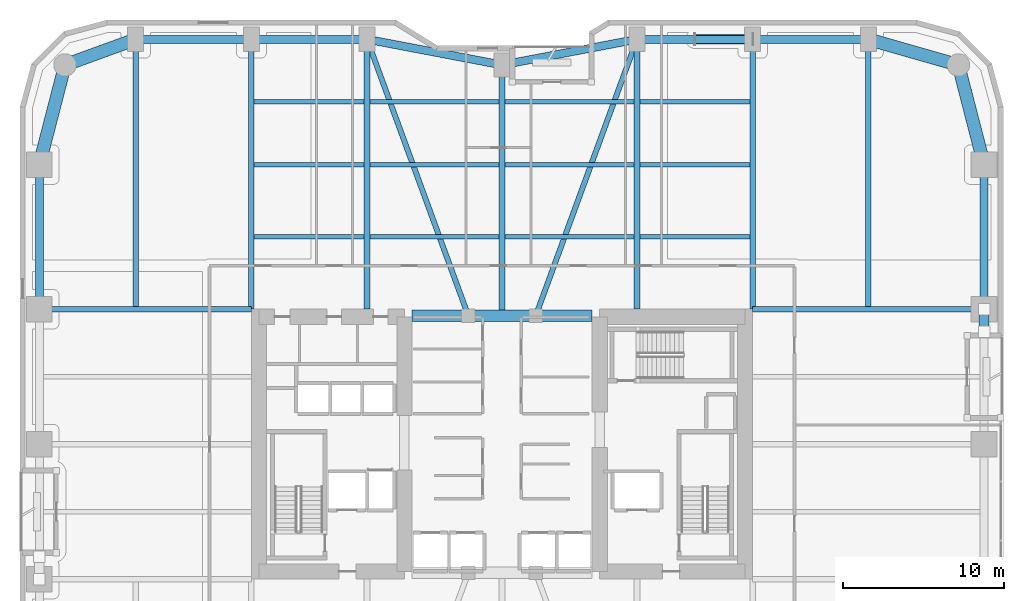
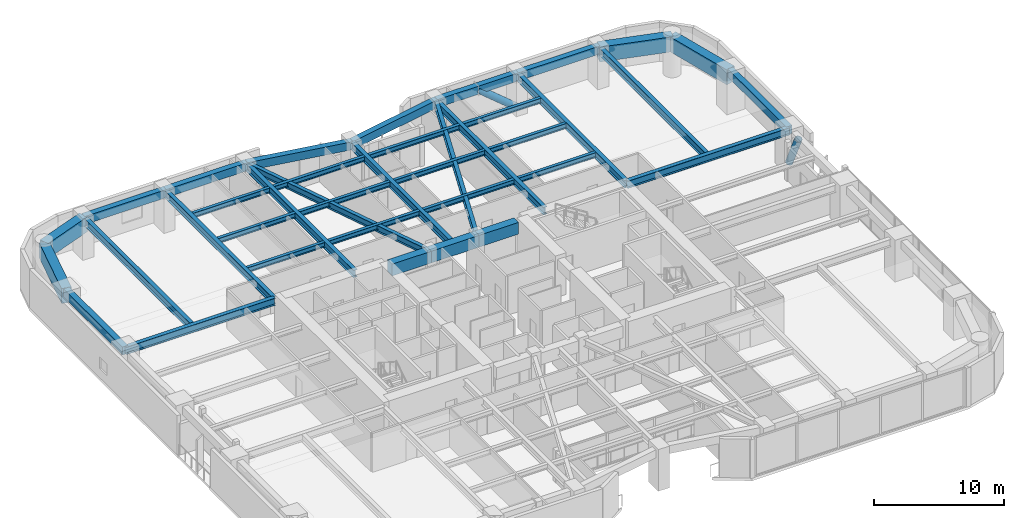
# One storey, part 14 of 26: 38 beams, 2 members.
"""IFC4 building model written with IfcOpenShell, lengths in metres."""

from ifc_helpers import new_model, si_unit, direction, frame, origin, origin_2d, place, context, subcontext, project, spatial, rectangle, hollow_circle, i_section, extrude, material, material_profile, profile_set, type_object, element, save


model = new_model("IFC4")

# Units and contexts
model_context = context("Model", 3, precision=1e-05, world=origin(), true_north=direction((0.0, 1.0)))
body_context = subcontext(model_context, "Body", "Model", "MODEL_VIEW")
ifc_project = project(units=[si_unit("LENGTHUNIT", "METRE"), si_unit("AREAUNIT", "SQUARE_METRE"), si_unit("VOLUMEUNIT", "CUBIC_METRE"), si_unit("PLANEANGLEUNIT", "RADIAN"), si_unit("MASSUNIT", "GRAM", prefix="KILO")], contexts=[model_context])

# Site, building, storey
site_placement = place(None, origin())
site = spatial("IfcSite", under=ifc_project, at=site_placement, CompositionType="ELEMENT")
building_placement = place(site_placement, origin())
building = spatial("IfcBuilding", under=site, at=building_placement, Name="Kiyonajd Concourse Tower", CompositionType="ELEMENT")
storey_placement = place(building_placement, frame((0.0, 0.0, 72.89990234375)))
storey = spatial("IfcBuildingStorey", under=building, at=storey_placement, Name="L19", CompositionType="ELEMENT", Elevation=72.89990234375)

# Beams
ifc_material_1 = material(Name="Concrete C70/85", Category="concrete")
ifc_material_profile_1 = material_profile(ifc_material_1, rectangle(XDim=0.699951171875, YDim=1.10009765625, at=origin_2d()), Name="RCBM-700x1100")
ifc_profile_set_1 = profile_set([ifc_material_profile_1], Name="Concrete C70/85")
beam_type_1 = type_object("IfcBeamType", Name="BM-COUP-1100", PredefinedType="LINTEL", material=ifc_profile_set_1)
beam_1_placement = place(storey_placement, frame((42.39990234375, 44.0, 3.090087890625), z_axis=(1.0, 0.0, 0.0), x_axis=(0.0, 1.0, 0.0)))
element("IfcBeam", 1, at=beam_1_placement, inside=storey, type_object=beam_type_1, Name="L19 Core Coupling Beam N1", PredefinedType="LINTEL", context=body_context, shape_type="SweptSolid", body=[
    extrude(rectangle(XDim=0.699951171875, YDim=1.10009765625, at=origin_2d()), origin(), (0.0, 0.0, 1.0), 3.5),
])
beam_2_placement = place(storey_placement, frame((45.89990234375, 44.0, 3.090087890625), z_axis=(1.0, 0.0, 0.0), x_axis=(0.0, 1.0, 0.0)))
element("IfcBeam", 2, at=beam_2_placement, inside=storey, type_object=beam_type_1, Name="L19 Core Coupling Beam N2", PredefinedType="LINTEL", context=body_context, shape_type="SweptSolid", body=[
    extrude(rectangle(XDim=0.699951171875, YDim=1.10009765625, at=origin_2d()), origin(), (0.0, 0.0, 1.0), 4.2001953125),
])
beam_3_placement = place(storey_placement, frame((50.10009765625, 44.0, 3.090087890625), z_axis=(1.0, 0.0, 0.0), x_axis=(0.0, 1.0, 0.0)))
element("IfcBeam", 3, at=beam_3_placement, inside=storey, type_object=beam_type_1, Name="L19 Core Coupling Beam N3", PredefinedType="LINTEL", context=body_context, shape_type="SweptSolid", body=[
    extrude(rectangle(XDim=0.699951171875, YDim=1.10009765625, at=origin_2d()), origin(), (0.0, 0.0, 1.0), 3.5),
])
ifc_material_2 = material(Name="Steel ASTM A992 Grade 50", Category="steel")
ifc_material_profile_2 = material_profile(ifc_material_2, i_section(OverallWidth=0.280029296875, OverallDepth=0.462890625, WebThickness=0.0107421875, FlangeThickness=0.017333984375, at=origin_2d()), Name="W460X113")
ifc_profile_set_2 = profile_set([ifc_material_profile_2], Name="Steel ASTM A992 Grade 50")
beam_type_2 = type_object("IfcBeamType", Name="BM-JST-460A", PredefinedType="JOIST", material=ifc_profile_set_2)
beam_4_placement = place(storey_placement, frame((32.577392578125, 48.89990234375, 3.40869140625), z_axis=(1.0, 0.0, 0.0), x_axis=(0.0, 1.0, 0.0)))
element("IfcBeam", 4, at=beam_4_placement, inside=storey, type_object=beam_type_2, Name="L19 Secondary Floor Joist", PredefinedType="JOIST", context=body_context, shape_type="SweptSolid", body=[
    extrude(i_section(OverallWidth=0.280029296875, OverallDepth=0.462890625, WebThickness=0.0107421875, FlangeThickness=0.017333984375, at=origin_2d()), origin(), (0.0, 0.0, 1.0), 6.84521484375),
])
for number, where, z_axis, x_axis, name in (
    (5, (39.777587890625, 48.89990234375, 3.40869140625), (1.0, 0.0, 0.0), (0.0, 1.0, 0.0), "L19 Secondary Floor Joist"),
    (6, (48.177490234375, 48.89990234375, 3.40869140625), (1.0, 0.0, 0.0), (0.0, 1.0, 0.0), "L19 Secondary Floor Joist"),
):
    element("IfcBeam", number, at=place(storey_placement, frame(where, z_axis=z_axis, x_axis=x_axis)), inside=storey, type_object=beam_type_2, Name=name, PredefinedType="JOIST", context=body_context, shape_type="SweptSolid", body=[
        extrude(i_section(OverallWidth=0.280029296875, OverallDepth=0.462890625, WebThickness=0.0107421875, FlangeThickness=0.017333984375, at=origin_2d()), origin(), (0.0, 0.0, 1.0), 8.044921875),
    ])
for number, where, z_axis, x_axis, name in (
    (7, (56.577392578125, 48.89990234375, 3.40869140625), (1.0, 0.0, 0.0), (0.0, 1.0, 0.0), "L19 Secondary Floor Joist"),
    (8, (32.577392578125, 53.39990234375, 3.40869140625), (1.0, 0.0, 0.0), (0.0, 1.0, 0.0), "L19 Secondary Floor Joist"),
):
    element("IfcBeam", number, at=place(storey_placement, frame(where, z_axis=z_axis, x_axis=x_axis)), inside=storey, type_object=beam_type_2, Name=name, PredefinedType="JOIST", context=body_context, shape_type="SweptSolid", body=[
        extrude(i_section(OverallWidth=0.280029296875, OverallDepth=0.462890625, WebThickness=0.0107421875, FlangeThickness=0.017333984375, at=origin_2d()), origin(), (0.0, 0.0, 1.0), 6.84521484375),
    ])
for number, where, z_axis, x_axis, name in (
    (9, (39.777587890625, 53.39990234375, 3.40869140625), (1.0, 0.0, 0.0), (0.0, 1.0, 0.0), "L19 Secondary Floor Joist"),
    (10, (48.177490234375, 53.39990234375, 3.40869140625), (1.0, 0.0, 0.0), (0.0, 1.0, 0.0), "L19 Secondary Floor Joist"),
):
    element("IfcBeam", number, at=place(storey_placement, frame(where, z_axis=z_axis, x_axis=x_axis)), inside=storey, type_object=beam_type_2, Name=name, PredefinedType="JOIST", context=body_context, shape_type="SweptSolid", body=[
        extrude(i_section(OverallWidth=0.280029296875, OverallDepth=0.462890625, WebThickness=0.0107421875, FlangeThickness=0.017333984375, at=origin_2d()), origin(), (0.0, 0.0, 1.0), 8.044921875),
    ])
for number, where, z_axis, x_axis, name in (
    (11, (56.577392578125, 53.39990234375, 3.40869140625), (1.0, 0.0, 0.0), (0.0, 1.0, 0.0), "L19 Secondary Floor Joist"),
    (12, (32.577392578125, 57.300048828125, 3.40869140625), (1.0, 0.0, 0.0), (0.0, 1.0, 0.0), "L19 Secondary Floor Joist"),
):
    element("IfcBeam", number, at=place(storey_placement, frame(where, z_axis=z_axis, x_axis=x_axis)), inside=storey, type_object=beam_type_2, Name=name, PredefinedType="JOIST", context=body_context, shape_type="SweptSolid", body=[
        extrude(i_section(OverallWidth=0.280029296875, OverallDepth=0.462890625, WebThickness=0.0107421875, FlangeThickness=0.017333984375, at=origin_2d()), origin(), (0.0, 0.0, 1.0), 6.84521484375),
    ])
for number, where, z_axis, x_axis, name in (
    (13, (39.777587890625, 57.300048828125, 3.40869140625), (1.0, 0.0, 0.0), (0.0, 1.0, 0.0), "L19 Secondary Floor Joist"),
    (14, (48.177490234375, 57.300048828125, 3.40869140625), (1.0, 0.0, 0.0), (0.0, 1.0, 0.0), "L19 Secondary Floor Joist"),
):
    element("IfcBeam", number, at=place(storey_placement, frame(where, z_axis=z_axis, x_axis=x_axis)), inside=storey, type_object=beam_type_2, Name=name, PredefinedType="JOIST", context=body_context, shape_type="SweptSolid", body=[
        extrude(i_section(OverallWidth=0.280029296875, OverallDepth=0.462890625, WebThickness=0.0107421875, FlangeThickness=0.017333984375, at=origin_2d()), origin(), (0.0, 0.0, 1.0), 8.044921875),
    ])
beam_5_placement = place(storey_placement, frame((56.577392578125, 57.300048828125, 3.40869140625), z_axis=(1.0, 0.0, 0.0), x_axis=(0.0, 1.0, 0.0)))
element("IfcBeam", 15, at=beam_5_placement, inside=storey, type_object=beam_type_2, Name="L19 Secondary Floor Joist", PredefinedType="JOIST", context=body_context, shape_type="SweptSolid", body=[
    extrude(i_section(OverallWidth=0.280029296875, OverallDepth=0.462890625, WebThickness=0.0107421875, FlangeThickness=0.017333984375, at=origin_2d()), origin(), (0.0, 0.0, 1.0), 6.84521484375),
])
ifc_material_3 = material(Name="Precast concrete C50/60", Category="concrete")
ifc_material_profile_3 = material_profile(ifc_material_3, rectangle(XDim=0.5, YDim=0.75, at=origin_2d()), Name="RCBM-500x750")
ifc_profile_set_3 = profile_set([ifc_material_profile_3], Name="Precast concrete C50/60")
beam_type_3 = type_object("IfcBeamType", Name="BM-SPAN-RC", PredefinedType="SPANDREL", material=ifc_profile_set_3)
beam_6_placement = place(storey_placement, frame((78.0, 44.39990234375, 3.26513671875), z_axis=(0.0, 1.0, 0.0), x_axis=(-1.0, 0.0, 0.0)))
element("IfcBeam", 16, at=beam_6_placement, inside=storey, type_object=beam_type_3, Name="L19 Perimeter Bundled Tube Spandrel", PredefinedType="SPANDREL", context=body_context, shape_type="SweptSolid", body=[
    extrude(rectangle(XDim=0.5, YDim=0.75, at=origin_2d()), origin(), (0.0, 0.0, 1.0), 9.0),
])
beam_7_placement = place(storey_placement, frame((70.800048828125, 61.199951171875, 3.26513671875), z_axis=(-1.0, 0.0, 0.0), x_axis=(0.0, -1.0, 0.0)))
element("IfcBeam", 17, at=beam_7_placement, inside=storey, type_object=beam_type_3, Name="L19 Perimeter Bundled Tube Spandrel", PredefinedType="SPANDREL", context=body_context, shape_type="SweptSolid", body=[
    extrude(rectangle(XDim=0.5, YDim=0.75, at=origin_2d()), origin(), (0.0, 0.0, 1.0), 7.199951171875),
])
beam_8_placement = place(storey_placement, frame((63.60009765625, 61.199951171875, 3.26513671875), z_axis=(-1.0, 0.0, 0.0), x_axis=(0.0, -1.0, 0.0)))
element("IfcBeam", 18, at=beam_8_placement, inside=storey, type_object=beam_type_3, Name="L19 Perimeter Bundled Tube Spandrel", PredefinedType="SPANDREL", context=body_context, shape_type="SweptSolid", body=[
    extrude(rectangle(XDim=0.5, YDim=0.75, at=origin_2d()), origin(), (0.0, 0.0, 1.0), 7.2001953125),
])
for number, where, z_axis, x_axis, name in (
    (19, (56.39990234375, 61.199951171875, 3.26513671875), (-0.982341315253, -0.187097675953, 0.0), (0.187097675953, -0.982341315253, 0.0), "L19 Perimeter Bundled Tube Spandrel"),
    (20, (48.0, 59.60009765625, 3.26513671875), (-0.982341315253, 0.187097675953, 0.0), (-0.187097675953, -0.982341315253, 0.0), "L19 Perimeter Bundled Tube Spandrel"),
):
    element("IfcBeam", number, at=place(storey_placement, frame(where, z_axis=z_axis, x_axis=x_axis)), inside=storey, type_object=beam_type_3, Name=name, PredefinedType="SPANDREL", context=body_context, shape_type="SweptSolid", body=[
        extrude(rectangle(XDim=0.5, YDim=0.75, at=origin_2d()), origin(), (0.0, 0.0, 1.0), 8.55078125),
    ])
beam_9_placement = place(storey_placement, frame((39.60009765625, 61.199951171875, 3.26513671875), z_axis=(-1.0, 0.0, 0.0), x_axis=(0.0, -1.0, 0.0)))
element("IfcBeam", 21, at=beam_9_placement, inside=storey, type_object=beam_type_3, Name="L19 Perimeter Bundled Tube Spandrel", PredefinedType="SPANDREL", context=body_context, shape_type="SweptSolid", body=[
    extrude(rectangle(XDim=0.5, YDim=0.75, at=origin_2d()), origin(), (0.0, 0.0, 1.0), 7.2001953125),
])
beam_10_placement = place(storey_placement, frame((32.39990234375, 61.199951171875, 3.26513671875), z_axis=(-1.0, 0.0, 0.0), x_axis=(0.0, -1.0, 0.0)))
element("IfcBeam", 22, at=beam_10_placement, inside=storey, type_object=beam_type_3, Name="L19 Perimeter Bundled Tube Spandrel", PredefinedType="SPANDREL", context=body_context, shape_type="SweptSolid", body=[
    extrude(rectangle(XDim=0.5, YDim=0.75, at=origin_2d()), origin(), (0.0, 0.0, 1.0), 7.199951171875),
])
beam_11_placement = place(storey_placement, frame((19.199951171875, 53.39990234375, 3.26513671875), z_axis=(0.0, -1.0, 0.0), x_axis=(1.0, 0.0, 0.0)))
element("IfcBeam", 23, at=beam_11_placement, inside=storey, type_object=beam_type_3, Name="L19 Perimeter Bundled Tube Spandrel", PredefinedType="SPANDREL", context=body_context, shape_type="SweptSolid", body=[
    extrude(rectangle(XDim=0.5, YDim=0.75, at=origin_2d()), origin(), (0.0, 0.0, 1.0), 9.0),
])
ifc_material_profile_4 = material_profile(ifc_material_2, i_section(OverallWidth=0.326904296875, OverallDepth=0.6220703125, WebThickness=0.015380859375, FlangeThickness=0.0244140625, at=origin_2d()), Name="W610X195")
ifc_profile_set_4 = profile_set([ifc_material_profile_4], Name="Steel ASTM A992 Grade 50")
beam_type_4 = type_object("IfcBeamType", Name="BM-TWR-610A", PredefinedType="BEAM", material=ifc_profile_set_4)
for number, where, z_axis, x_axis, name in (
    (24, (39.60009765625, 61.199951171875, 3.3291015625), (0.343925269715, -0.938997022813, 0.0), (0.938997022813, 0.343925269715, 0.0), "L19 Core Tie Girder"),
    (25, (50.10009765625, 44.0, 3.3291015625), (0.343925269715, 0.938997022813, 0.0), (-0.938997022813, 0.343925269715, 0.0), "L19 Core Tie Girder"),
):
    element("IfcBeam", number, at=place(storey_placement, frame(where, z_axis=z_axis, x_axis=x_axis)), inside=storey, type_object=beam_type_4, Name=name, PredefinedType="BEAM", context=body_context, shape_type="SweptSolid", body=[
        extrude(i_section(OverallWidth=0.326904296875, OverallDepth=0.6220703125, WebThickness=0.015380859375, FlangeThickness=0.0244140625, at=origin_2d()), origin(), (0.0, 0.0, 1.0), 18.3173828125),
    ])
ifc_material_profile_5 = material_profile(ifc_material_2, i_section(OverallWidth=0.35498046875, OverallDepth=0.695068359375, WebThickness=0.015380859375, FlangeThickness=0.02490234375, at=origin_2d()), Name="W690X217")
ifc_profile_set_5 = profile_set([ifc_material_profile_5], Name="Steel ASTM A992 Grade 50")
beam_type_5 = type_object("IfcBeamType", Name="BM-TWR-690", PredefinedType="BEAM", material=ifc_profile_set_5)
for number, where, z_axis, x_axis, name in (
    (26, (25.199951171875, 44.39990234375, 3.29248046875), (0.0, 1.0, 0.0), (-1.0, 0.0, 0.0), "L19 North Lease Girder"),
    (27, (32.39990234375, 44.39990234375, 3.29248046875), (0.0, 1.0, 0.0), (-1.0, 0.0, 0.0), "L19 North Lease Girder"),
    (28, (39.60009765625, 44.39990234375, 3.29248046875), (0.0, 1.0, 0.0), (-1.0, 0.0, 0.0), "L19 North Lease Girder"),
    (29, (56.39990234375, 44.39990234375, 3.29248046875), (0.0, 1.0, 0.0), (-1.0, 0.0, 0.0), "L19 North Lease Girder"),
    (30, (63.60009765625, 44.39990234375, 3.29248046875), (0.0, 1.0, 0.0), (-1.0, 0.0, 0.0), "L19 North Lease Girder"),
    (31, (70.800048828125, 44.39990234375, 3.29248046875), (0.0, 1.0, 0.0), (-1.0, 0.0, 0.0), "L19 North Lease Girder"),
):
    element("IfcBeam", number, at=place(storey_placement, frame(where, z_axis=z_axis, x_axis=x_axis)), inside=storey, type_object=beam_type_5, Name=name, PredefinedType="BEAM", context=body_context, shape_type="SweptSolid", body=[
        extrude(i_section(OverallWidth=0.35498046875, OverallDepth=0.695068359375, WebThickness=0.015380859375, FlangeThickness=0.02490234375, at=origin_2d()), origin(), (0.0, 0.0, 1.0), 16.800048828125),
    ])
beam_12_placement = place(storey_placement, frame((48.0, 44.0, 3.29248046875), z_axis=(0.0, 1.0, 0.0), x_axis=(-1.0, 0.0, 0.0)))
element("IfcBeam", 32, at=beam_12_placement, inside=storey, type_object=beam_type_5, Name="L19 North Ribbon Girder", PredefinedType="BEAM", context=body_context, shape_type="SweptSolid", body=[
    extrude(i_section(OverallWidth=0.35498046875, OverallDepth=0.695068359375, WebThickness=0.015380859375, FlangeThickness=0.02490234375, at=origin_2d()), origin(), (0.0, 0.0, 1.0), 15.60009765625),
])
beam_13_placement = place(storey_placement, frame((19.199951171875, 44.39990234375, 3.29248046875), z_axis=(1.0, 0.0, 0.0), x_axis=(0.0, 1.0, 0.0)))
element("IfcBeam", 33, at=beam_13_placement, inside=storey, type_object=beam_type_5, Name="L19 West Lease Girder", PredefinedType="BEAM", context=body_context, shape_type="SweptSolid", body=[
    extrude(i_section(OverallWidth=0.35498046875, OverallDepth=0.695068359375, WebThickness=0.015380859375, FlangeThickness=0.02490234375, at=origin_2d()), origin(), (0.0, 0.0, 1.0), 13.199951171875),
])
beam_14_placement = place(storey_placement, frame((63.60009765625, 44.39990234375, 3.29248046875), z_axis=(1.0, 0.0, 0.0), x_axis=(0.0, 1.0, 0.0)))
element("IfcBeam", 34, at=beam_14_placement, inside=storey, type_object=beam_type_5, Name="L19 East Lease Girder", PredefinedType="BEAM", context=body_context, shape_type="SweptSolid", body=[
    extrude(i_section(OverallWidth=0.35498046875, OverallDepth=0.695068359375, WebThickness=0.015380859375, FlangeThickness=0.02490234375, at=origin_2d()), origin(), (0.0, 0.0, 1.0), 14.39990234375),
])
ifc_material_4 = material(Name="Concrete C60/75", Category="concrete")
ifc_material_profile_6 = material_profile(ifc_material_4, rectangle(XDim=0.800048828125, YDim=1.39990234375, at=origin_2d()), Name="RCBM-800x1400")
ifc_profile_set_6 = profile_set([ifc_material_profile_6], Name="Concrete C60/75")
beam_type_6 = type_object("IfcBeamType", Name="BM-XFER-RC", PredefinedType="BEAM", material=ifc_profile_set_6)
beam_15_placement = place(storey_placement, frame((78.0, 53.39990234375, 2.940185546875), z_axis=(-0.249884937687, 0.968275538221, 0.0), x_axis=(-0.968275538221, -0.249884937687, 0.0)))
element("IfcBeam", 35, at=beam_15_placement, inside=storey, type_object=beam_type_6, Name="L19 Perimeter Bundled Tube Spandrel", PredefinedType="BEAM", context=body_context, shape_type="SweptSolid", body=[
    extrude(rectangle(XDim=0.800048828125, YDim=1.39990234375, at=origin_2d()), origin(), (0.0, 0.0, 1.0), 6.4033203125),
])
beam_16_placement = place(storey_placement, frame((76.39990234375, 59.60009765625, 2.940185546875), z_axis=(-0.961528693205, 0.274704517878, 0.0), x_axis=(-0.274704517878, -0.961528693205, 0.0)))
element("IfcBeam", 36, at=beam_16_placement, inside=storey, type_object=beam_type_6, Name="L19 Perimeter Bundled Tube Spandrel", PredefinedType="BEAM", context=body_context, shape_type="SweptSolid", body=[
    extrude(rectangle(XDim=0.800048828125, YDim=1.39990234375, at=origin_2d()), origin(), (0.0, 0.0, 1.0), 5.823974609375),
])
beam_17_placement = place(storey_placement, frame((25.199951171875, 61.199951171875, 2.940185546875), z_axis=(-0.939801036019, -0.341722127901, 0.0), x_axis=(0.341722127901, -0.939801036019, 0.0)))
element("IfcBeam", 37, at=beam_17_placement, inside=storey, type_object=beam_type_6, Name="L19 Perimeter Bundled Tube Spandrel", PredefinedType="BEAM", context=body_context, shape_type="SweptSolid", body=[
    extrude(rectangle(XDim=0.800048828125, YDim=1.39990234375, at=origin_2d()), origin(), (0.0, 0.0, 1.0), 4.681640625),
])
beam_18_placement = place(storey_placement, frame((20.800048828125, 59.60009765625, 2.940185546875), z_axis=(-0.249884937687, -0.968275538221, 0.0), x_axis=(0.968275538221, -0.249884937687, 0.0)))
element("IfcBeam", 38, at=beam_18_placement, inside=storey, type_object=beam_type_6, Name="L19 Perimeter Bundled Tube Spandrel", PredefinedType="BEAM", context=body_context, shape_type="SweptSolid", body=[
    extrude(rectangle(XDim=0.800048828125, YDim=1.39990234375, at=origin_2d()), origin(), (0.0, 0.0, 1.0), 6.4033203125),
])

# Members
ifc_material_5 = material(Name="Steel ASTM A572 Grade 50", Category="steel")
ifc_material_profile_7 = material_profile(ifc_material_5, hollow_circle(Radius=0.304931640625, WallThickness=0.02490234375, at=origin_2d()), Name="CHS-610x25")
ifc_profile_set_7 = profile_set([ifc_material_profile_7], Name="Steel ASTM A572 Grade 50")
member_type = type_object("IfcMemberType", Name="MB-PB-LOW", PredefinedType="BRACE", material=ifc_profile_set_7)
member_1_placement = place(storey_placement, frame((63.60009765625, 61.199951171875, 0.300048828125), z_axis=(-0.769280705518, 0.0, 0.638910945373), x_axis=(0.0, -1.0, 0.0)))
element("IfcMember", 39, at=member_1_placement, inside=storey, type_object=member_type, Name="L19 Lower Zone Welded Tube Brace PBN", PredefinedType="BRACE", context=body_context, shape_type="SweptSolid", body=[
    extrude(hollow_circle(Radius=0.304931640625, WallThickness=0.02490234375, at=origin_2d()), origin(), (0.0, 0.0, 1.0), 4.679931640625),
])
member_2_placement = place(storey_placement, frame((78.0, 44.39990234375, 0.300048828125), z_axis=(0.0, -0.424022702926, 0.905651559598), x_axis=(1.0, 0.0, 0.0)))
element("IfcMember", 40, at=member_2_placement, inside=storey, type_object=member_type, Name="L19 Lower Zone Welded Tube Brace PBE", PredefinedType="BRACE", context=body_context, shape_type="SweptSolid", body=[
    extrude(hollow_circle(Radius=0.304931640625, WallThickness=0.02490234375, at=origin_2d()), origin(), (0.0, 0.0, 1.0), 3.301513671875),
])

save(model, "model.ifc")
